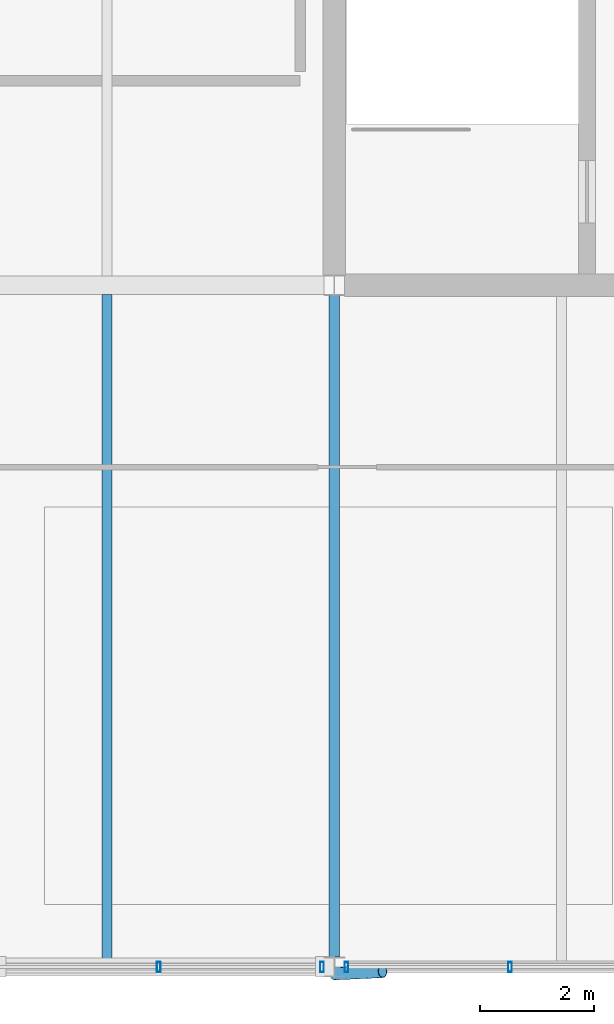
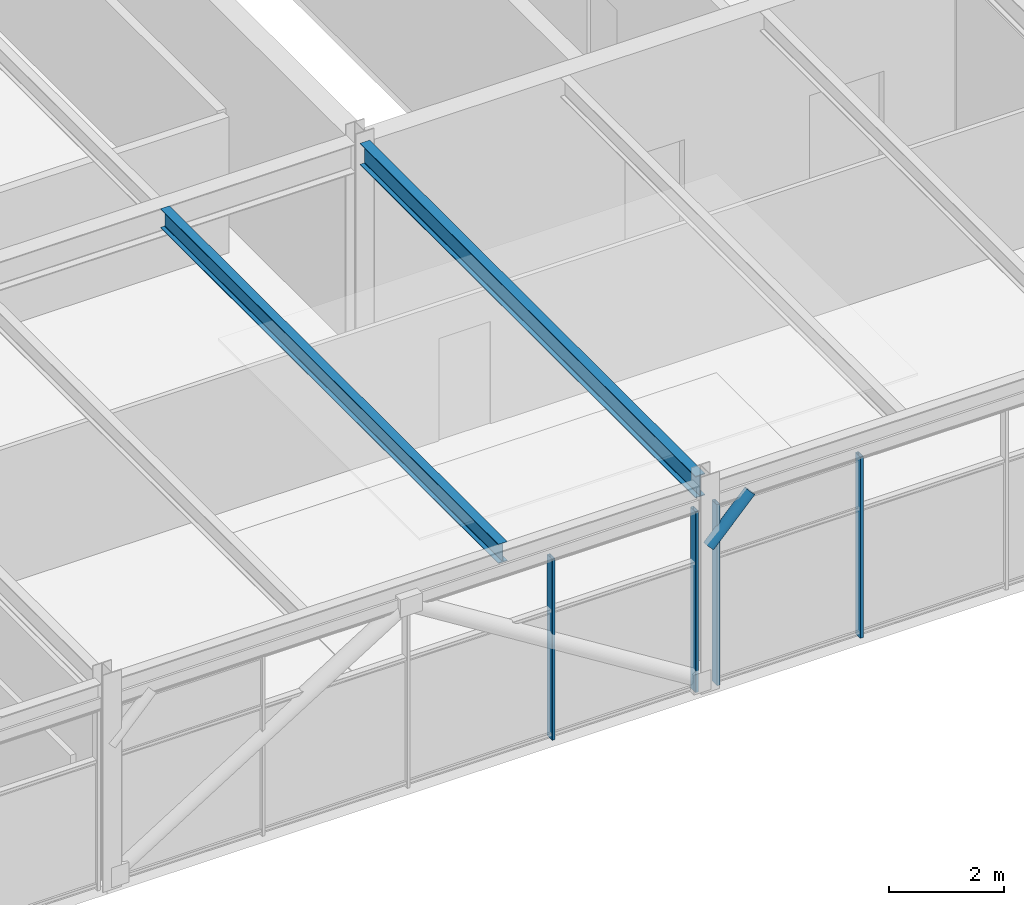
# One storey, part 18 of 28: 5 members, 2 beams, 2 elements without a shape of their own.
"""IFC4 building model written with IfcOpenShell, lengths in metres."""

from ifc_helpers import new_model, si_unit, direction, frame, origin, origin_2d, place, context, subcontext, project, spatial, hollow_rectangle, hollow_circle, i_section, extrude, material, material_profile, profile_set, type_object, element, aggregate, save


model = new_model("IFC4")

# Units and contexts
model_context = context("Model", 3, precision=1e-05, world=origin(), true_north=direction((0.0, 1.0)))
body_context = subcontext(model_context, "Body", "Model", "MODEL_VIEW")
ifc_project = project(units=[si_unit("LENGTHUNIT", "METRE"), si_unit("AREAUNIT", "SQUARE_METRE"), si_unit("VOLUMEUNIT", "CUBIC_METRE"), si_unit("PLANEANGLEUNIT", "RADIAN"), si_unit("MASSUNIT", "GRAM", prefix="KILO")], contexts=[model_context])

# Site, building, storey
site_placement = place(None, origin())
site = spatial("IfcSite", under=ifc_project, at=site_placement, CompositionType="ELEMENT")
building_placement = place(site_placement, origin())
building = spatial("IfcBuilding", under=site, at=building_placement, Name="Girod Span Mobility Hub", CompositionType="ELEMENT")
storey_placement = place(building_placement, frame((0.0, 0.0, 69.60009765625)))
storey = spatial("IfcBuildingStorey", under=building, at=storey_placement, Name="L17", CompositionType="ELEMENT", Elevation=69.60009765625)

# Beams
ifc_material_1 = material(Name="Steel A992 Grade 50", Category="steel")
ifc_material_profile_1 = material_profile(ifc_material_1, i_section(OverallWidth=0.178955078125, OverallDepth=0.409912109375, WebThickness=0.0087890625, FlangeThickness=0.014404296875, FilletRadius=0.012939453125, at=origin_2d()), Name="W16X45")
ifc_profile_set_1 = profile_set([ifc_material_profile_1], Name="Steel A992 Grade 50")
beam_type_1 = type_object("IfcBeamType", Name="BM-STL-W16X45", PredefinedType="BEAM", material=ifc_profile_set_1)
beam_1_placement = place(storey_placement, frame((104.0, 45.10302734375, 4.1748046875), z_axis=(0.0, 1.0, 0.0), x_axis=(-1.0, 0.0, 0.0)))
element("IfcBeam", 1, at=beam_1_placement, inside=storey, type_object=beam_type_1, Name="Composite Floorbeam 9/D-2 L17", PredefinedType="BEAM", context=body_context, shape_type="SweptSolid", body=[
    extrude(i_section(OverallWidth=0.178955078125, OverallDepth=0.409912109375, WebThickness=0.0087890625, FlangeThickness=0.014404296875, FilletRadius=0.012939453125, at=origin_2d()), origin(), (0.0, 0.0, 1.0), 11.738037109375),
])
ifc_material_2 = material(Name="Steel A992 Grade 50", Category="steel")
ifc_material_profile_2 = material_profile(ifc_material_2, i_section(OverallWidth=0.19189453125, OverallDepth=0.462890625, WebThickness=0.010498046875, FlangeThickness=0.017578125, FilletRadius=0.013916015625, at=origin_2d()), Name="W18X60")
ifc_profile_set_2 = profile_set([ifc_material_profile_2], Name="Steel A992 Grade 50")
beam_type_2 = type_object("IfcBeamType", Name="BM-STL-W18X60", PredefinedType="BEAM", material=ifc_profile_set_2)
beam_2_placement = place(storey_placement, frame((108.0, 45.175048828125, 4.1484375), z_axis=(0.0, 1.0, 0.0), x_axis=(-1.0, 0.0, 0.0)))
element("IfcBeam", 2, at=beam_2_placement, inside=storey, type_object=beam_type_2, Name="Tie Girder 10/D-E L17", PredefinedType="BEAM", context=body_context, shape_type="SweptSolid", body=[
    extrude(i_section(OverallWidth=0.19189453125, OverallDepth=0.462890625, WebThickness=0.010498046875, FlangeThickness=0.017578125, FilletRadius=0.013916015625, at=origin_2d()), origin(), (0.0, 0.0, 1.0), 11.64990234375),
])

# Curtain wall, members
ifc_material_3 = material(Name="Thermally Broken Anodised Aluminium", Category="aluminium")
curtain_wall_type = type_object("IfcCurtainWallType", Name="CW-1164X384", PredefinedType="USERDEFINED", material=ifc_material_3)
curtain_wall_1_placement = place(storey_placement, origin())
curtain_wall_1 = element("IfcCurtainWall", 3, at=curtain_wall_1_placement, inside=storey, type_object=curtain_wall_type, Name="Unitised Curtain Wall CW-L17-S09 L17", ObjectType="UNITISED CURTAIN WALL", PredefinedType="USERDEFINED")
ifc_material_4 = material(Name="Thermally Broken Anodised Aluminium", Category="aluminium")
ifc_material_profile_3 = material_profile(ifc_material_4, hollow_rectangle(XDim=0.179931640625, YDim=0.06494140625, WallThickness=0.00390625, InnerFilletRadius=0.00390625, OuterFilletRadius=0.008056640625, at=origin_2d()), Name="CW-ML-65X180")
ifc_profile_set_3 = profile_set([ifc_material_profile_3], Name="Thermally Broken Anodised Aluminium")
member_type_1 = type_object("IfcMemberType", Name="CWM-ML-2", PredefinedType="MULLION", material=ifc_profile_set_3)
member_1_placement = place(storey_placement, frame((104.90869140625, 45.0, 0.0), z_axis=(0.0, 0.0, 1.0), x_axis=(0.0, 1.0, 0.0)))
member_1 = element("IfcMember", 4, at=member_1_placement, type_object=member_type_1, Name="Curtain Wall Mullion CW-L17-S09-M3", PredefinedType="MULLION", context=body_context, shape_type="SweptSolid", body=[
    extrude(hollow_rectangle(XDim=0.179931640625, YDim=0.06494140625, WallThickness=0.00390625, InnerFilletRadius=0.00390625, OuterFilletRadius=0.008056640625, at=origin_2d()), origin(), (0.0, 0.0, 1.0), 3.8359375),
])
member_2_placement = place(storey_placement, frame((107.785400390625, 45.0, 0.0), z_axis=(0.0, 0.0, 1.0), x_axis=(0.0, 1.0, 0.0)))
member_2 = element("IfcMember", 5, at=member_2_placement, type_object=member_type_1, Name="Curtain Wall Mullion CW-L17-S09-M4", PredefinedType="MULLION", context=body_context, shape_type="SweptSolid", body=[
    extrude(hollow_rectangle(XDim=0.179931640625, YDim=0.06494140625, WallThickness=0.00390625, InnerFilletRadius=0.00390625, OuterFilletRadius=0.008056640625, at=origin_2d()), origin(), (0.0, 0.0, 1.0), 3.8359375),
])
aggregate(curtain_wall_1, [member_1, member_2])

curtain_wall_2_placement = place(storey_placement, origin())
curtain_wall_2 = element("IfcCurtainWall", 6, at=curtain_wall_2_placement, inside=storey, type_object=curtain_wall_type, Name="Unitised Curtain Wall CW-L17-S10 L17", ObjectType="UNITISED CURTAIN WALL", PredefinedType="USERDEFINED")
member_3_placement = place(storey_placement, frame((108.214599609375, 45.0, 0.0), z_axis=(0.0, 0.0, 1.0), x_axis=(0.0, 1.0, 0.0)))
member_3 = element("IfcMember", 7, at=member_3_placement, type_object=member_type_1, Name="Curtain Wall Mullion CW-L17-S10-M0", PredefinedType="MULLION", context=body_context, shape_type="SweptSolid", body=[
    extrude(hollow_rectangle(XDim=0.179931640625, YDim=0.06494140625, WallThickness=0.00390625, InnerFilletRadius=0.00390625, OuterFilletRadius=0.008056640625, at=origin_2d()), origin(), (0.0, 0.0, 1.0), 3.8359375),
])
member_4_placement = place(storey_placement, frame((111.09130859375, 45.0, 0.0), z_axis=(0.0, 0.0, 1.0), x_axis=(0.0, 1.0, 0.0)))
member_4 = element("IfcMember", 8, at=member_4_placement, type_object=member_type_1, Name="Curtain Wall Mullion CW-L17-S10-M1", PredefinedType="MULLION", context=body_context, shape_type="SweptSolid", body=[
    extrude(hollow_rectangle(XDim=0.179931640625, YDim=0.06494140625, WallThickness=0.00390625, InnerFilletRadius=0.00390625, OuterFilletRadius=0.008056640625, at=origin_2d()), origin(), (0.0, 0.0, 1.0), 3.8359375),
])
aggregate(curtain_wall_2, [member_3, member_4])

# Member
ifc_material_5 = material(Name="Steel HSS A500 Grade C", Category="steel")
ifc_material_profile_4 = material_profile(ifc_material_5, hollow_circle(Radius=0.109619140625, WallThickness=0.0087890625, at=origin_2d()), Name="HSS219X9.5")
ifc_profile_set_4 = profile_set([ifc_material_profile_4], Name="Steel HSS A500 Grade C")
member_type_2 = type_object("IfcMemberType", Name="MB-ST-HSS219", PredefinedType="STRUT", material=ifc_profile_set_4)
member_5_placement = place(storey_placement, frame((108.0, 44.8798828125, 3.0498046875), z_axis=(0.706714954442, 0.033285827837, 0.706714954442), x_axis=(-0.047047213483, 0.998892666758, 0.0)))
element("IfcMember", 9, at=member_5_placement, inside=storey, type_object=member_type_2, Name="Solar Shading Knee Strut 10 L17", PredefinedType="STRUT", context=body_context, shape_type="SweptSolid", body=[
    extrude(hollow_circle(Radius=0.109619140625, WallThickness=0.0087890625, at=origin_2d()), origin(), (0.0, 0.0, 1.0), 1.202880859375),
])

save(model, "model.ifc")
